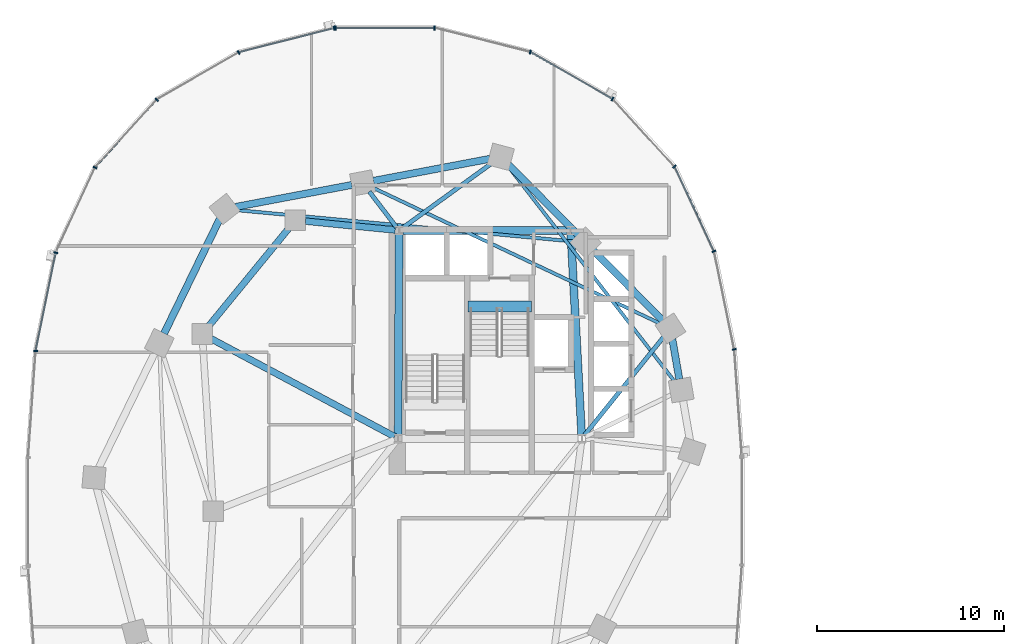
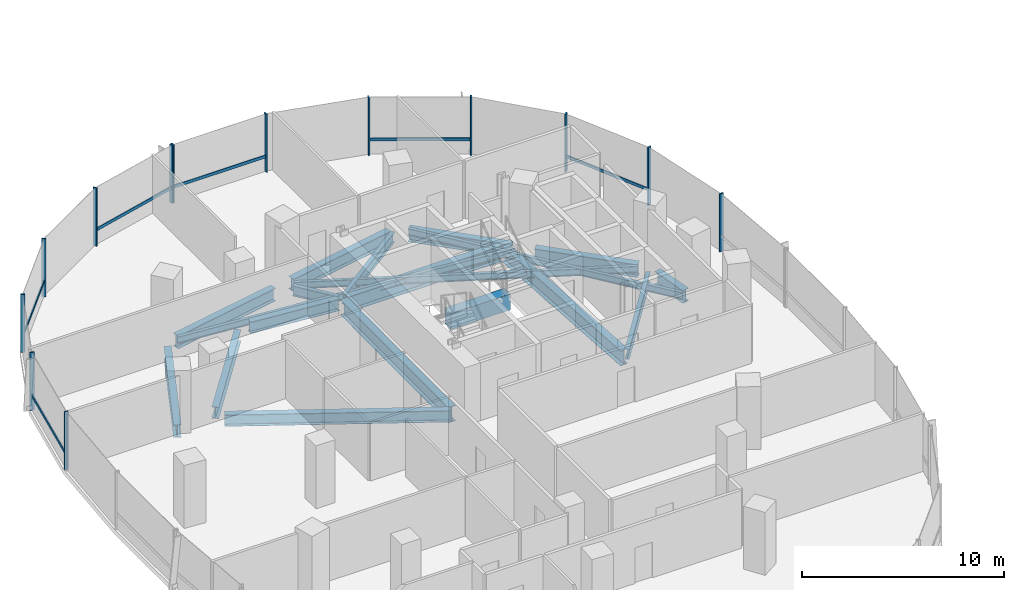
# One storey, part 4 of 22: 19 beams, 19 members, 2 elements without a shape of their own.
"""IFC4 building model written with IfcOpenShell, lengths in metres."""

from ifc_helpers import new_model, si_unit, direction, frame, origin, origin_2d, place, context, subcontext, project, spatial, rectangle, i_section, extrude, material, material_profile, profile_set, type_object, element, aggregate, save


model = new_model("IFC4")

# Units and contexts
model_context = context("Model", 3, precision=1e-05, world=origin(), true_north=direction((0.0, 1.0)))
body_context = subcontext(model_context, "Body", "Model", "MODEL_VIEW")
ifc_project = project(units=[si_unit("LENGTHUNIT", "METRE"), si_unit("AREAUNIT", "SQUARE_METRE"), si_unit("VOLUMEUNIT", "CUBIC_METRE"), si_unit("PLANEANGLEUNIT", "RADIAN"), si_unit("MASSUNIT", "GRAM", prefix="KILO"), si_unit("THERMODYNAMICTEMPERATUREUNIT", "KELVIN"), si_unit("POWERUNIT", "WATT")], contexts=[model_context])

# Site, building, storey
site_placement = place(None, origin())
site = spatial("IfcSite", under=ifc_project, at=site_placement, CompositionType="ELEMENT")
building_placement = place(site_placement, origin())
building = spatial("IfcBuilding", under=site, at=building_placement, Name="Cundina Bronze Exchange", CompositionType="ELEMENT")
storey_placement = place(building_placement, frame((0.0, 0.0, 39.199951171875)))
storey = spatial("IfcBuildingStorey", under=building, at=storey_placement, Name="L09", CompositionType="ELEMENT", Elevation=39.199951171875)

# Beams
ifc_material_1 = material(Name="Concrete C60/75", Category="concrete")
ifc_material_profile_1 = material_profile(ifc_material_1, rectangle(XDim=0.60009765625, YDim=0.949951171875, at=origin_2d()), Name="RC600X950", Category="concrete")
ifc_profile_set_1 = profile_set([ifc_material_profile_1], Name="Concrete C60/75")
beam_type_1 = type_object("IfcBeamType", Name="BM-COUP-RC950", PredefinedType="LINTEL", material=ifc_profile_set_1)
beam_1_placement = place(storey_placement, frame((-27.56005859375, 10.97998046875, -0.474853515625), z_axis=(1.0, 0.0, 0.0), x_axis=(0.0, 1.0, 0.0)))
element("IfcBeam", 1, at=beam_1_placement, inside=storey, type_object=beam_type_1, Name="L09 Stair W2 Landing Header Beam", PredefinedType="LINTEL", context=body_context, shape_type="SweptSolid", body=[
    extrude(rectangle(XDim=0.60009765625, YDim=0.949951171875, at=origin_2d()), origin(), (0.0, 0.0, 1.0), 3.400146484375),
])
ifc_material_2 = material(Name="Steel ASTM A992 Grade 50", Category="steel")
ifc_material_profile_2 = material_profile(ifc_material_2, i_section(OverallWidth=0.22998046875, OverallDepth=0.616943359375, WebThickness=0.01318359375, FlangeThickness=0.022216796875, FilletRadius=0.013916015625, at=origin_2d()), Name="W24X94", Category="steel")
ifc_profile_set_2 = profile_set([ifc_material_profile_2], Name="Steel ASTM A992 Grade 50")
beam_type_2 = type_object("IfcBeamType", Name="BM-FLR-W24B", PredefinedType="BEAM", material=ifc_profile_set_2)
beam_2_placement = place(storey_placement, frame((-21.322021484375, 4.058837890625, -0.6083984375), z_axis=(0.627106366175, 0.778933633568, 0.0), x_axis=(-0.778933633568, 0.627106366175, 0.0)))
element("IfcBeam", 2, at=beam_2_placement, inside=storey, type_object=beam_type_2, Name="L09 Leg W Radial Floor Beam 02", PredefinedType="BEAM", context=body_context, shape_type="SweptSolid", body=[
    extrude(i_section(OverallWidth=0.22998046875, OverallDepth=0.616943359375, WebThickness=0.01318359375, FlangeThickness=0.022216796875, FilletRadius=0.013916015625, at=origin_2d()), origin(), (0.0, 0.0, 1.0), 6.78271484375),
])
beam_3_placement = place(storey_placement, frame((-31.084716796875, 15.169677734375, -0.6083984375), z_axis=(0.809700299677, 0.586843611794, 0.0), x_axis=(-0.586843611794, 0.809700299677, 0.0)))
element("IfcBeam", 3, at=beam_3_placement, inside=storey, type_object=beam_type_2, Name="L09 Leg W Radial Floor Beam 04", PredefinedType="BEAM", context=body_context, shape_type="SweptSolid", body=[
    extrude(i_section(OverallWidth=0.22998046875, OverallDepth=0.616943359375, WebThickness=0.01318359375, FlangeThickness=0.022216796875, FilletRadius=0.013916015625, at=origin_2d()), origin(), (0.0, 0.0, 1.0), 5.938720703125),
])
beam_4_placement = place(storey_placement, frame((-31.373779296875, 15.2119140625, -0.6083984375), z_axis=(-0.607468844289, 0.794343504548, 0.0), x_axis=(-0.794343504548, -0.607468844289, 0.0)))
element("IfcBeam", 4, at=beam_4_placement, inside=storey, type_object=beam_type_2, Name="L09 Leg W Radial Floor Beam 05", PredefinedType="BEAM", context=body_context, shape_type="SweptSolid", body=[
    extrude(i_section(OverallWidth=0.22998046875, OverallDepth=0.616943359375, WebThickness=0.01318359375, FlangeThickness=0.022216796875, FilletRadius=0.013916015625, at=origin_2d()), origin(), (0.0, 0.0, 1.0), 2.418212890625),
])
ifc_material_profile_3 = material_profile(ifc_material_2, i_section(OverallWidth=0.178955078125, OverallDepth=0.409912109375, WebThickness=0.0087890625, FlangeThickness=0.014404296875, FilletRadius=0.010986328125, at=origin_2d()), Name="W16X45", Category="steel")
ifc_profile_set_3 = profile_set([ifc_material_profile_3], Name="Steel ASTM A992 Grade 50")
beam_type_3 = type_object("IfcBeamType", Name="BM-JST-W16", PredefinedType="JOIST", material=ifc_profile_set_3)
beam_5_placement = place(storey_placement, frame((-16.48486328125, 6.965087890625, -0.5048828125), z_axis=(-0.612089386305, 0.790788583108, 0.0), x_axis=(-0.790788583108, -0.612089386305, 0.0)))
element("IfcBeam", 5, at=beam_5_placement, inside=storey, type_object=beam_type_3, Name="L09 Leg W Lobe Floor Joist 01-04", PredefinedType="JOIST", context=body_context, shape_type="SweptSolid", body=[
    extrude(i_section(OverallWidth=0.178955078125, OverallDepth=0.409912109375, WebThickness=0.0087890625, FlangeThickness=0.014404296875, FilletRadius=0.010986328125, at=origin_2d()), origin(), (0.0, 0.0, 1.0), 14.630859375),
])
beam_6_placement = place(storey_placement, frame((-17.231689453125, 10.05126953125, -0.5048828125), z_axis=(-0.904072668297, 0.427378766949, 0.0), x_axis=(-0.427378766949, -0.904072668297, 0.0)))
element("IfcBeam", 6, at=beam_6_placement, inside=storey, type_object=beam_type_3, Name="L09 Leg W Lobe Floor Joist 02-05", PredefinedType="JOIST", context=body_context, shape_type="SweptSolid", body=[
    extrude(i_section(OverallWidth=0.178955078125, OverallDepth=0.409912109375, WebThickness=0.0087890625, FlangeThickness=0.014404296875, FilletRadius=0.010986328125, at=origin_2d()), origin(), (0.0, 0.0, 1.0), 17.07470703125),
])
beam_7_placement = place(storey_placement, frame((-21.83544921875, 14.45458984375, -0.5048828125), z_axis=(-0.995701961644, 0.09261535282, 0.0), x_axis=(-0.09261535282, -0.995701961644, 0.0)))
element("IfcBeam", 7, at=beam_7_placement, inside=storey, type_object=beam_type_3, Name="L09 Leg W Lobe Floor Joist 03-06", PredefinedType="JOIST", context=body_context, shape_type="SweptSolid", body=[
    extrude(i_section(OverallWidth=0.178955078125, OverallDepth=0.409912109375, WebThickness=0.0087890625, FlangeThickness=0.014404296875, FilletRadius=0.010986328125, at=origin_2d()), origin(), (0.0, 0.0, 1.0), 18.25732421875),
])
ifc_material_profile_4 = material_profile(ifc_material_2, i_section(OverallWidth=0.35498046875, OverallDepth=0.695068359375, WebThickness=0.015380859375, FlangeThickness=0.02490234375, FilletRadius=0.01806640625, at=origin_2d()), Name="W27X146", Category="steel")
ifc_profile_set_4 = profile_set([ifc_material_profile_4], Name="Steel ASTM A992 Grade 50")
beam_type_4 = type_object("IfcBeamType", Name="BM-RING-W27", PredefinedType="USERDEFINED", material=ifc_profile_set_4)
beam_8_placement = place(storey_placement, frame((-31.452880859375, 15.070068359375, -0.6474609375), z_axis=(-0.995126271817, 0.098608839051, 0.0), x_axis=(-0.098608839051, -0.995126271817, 0.0)))
element("IfcBeam", 8, at=beam_8_placement, inside=storey, type_object=beam_type_4, Name="L09 W Inner Structural Ring Girder 01", ObjectType="GIRDER", PredefinedType="USERDEFINED", context=body_context, shape_type="SweptSolid", body=[
    extrude(i_section(OverallWidth=0.35498046875, OverallDepth=0.695068359375, WebThickness=0.015380859375, FlangeThickness=0.02490234375, FilletRadius=0.01806640625, at=origin_2d()), origin(), (0.0, 0.0, 1.0), 4.83544921875),
])
beam_9_placement = place(storey_placement, frame((-37.14111328125, 15.183837890625, -0.6474609375), z_axis=(-0.633926549035, -0.773393257295, 0.0), x_axis=(0.773393257295, -0.633926549035, 0.0)))
element("IfcBeam", 9, at=beam_9_placement, inside=storey, type_object=beam_type_4, Name="L09 W Inner Structural Ring Girder 02", ObjectType="GIRDER", PredefinedType="USERDEFINED", context=body_context, shape_type="SweptSolid", body=[
    extrude(i_section(OverallWidth=0.35498046875, OverallDepth=0.695068359375, WebThickness=0.015380859375, FlangeThickness=0.02490234375, FilletRadius=0.01806640625, at=origin_2d()), origin(), (0.0, 0.0, 1.0), 6.811279296875),
])
beam_10_placement = place(storey_placement, frame((-31.47998046875, 3.99609375, -0.6474609375), z_axis=(-0.882354758239, 0.470584828286, 0.0), x_axis=(-0.470584828286, -0.882354758239, 0.0)))
element("IfcBeam", 10, at=beam_10_placement, inside=storey, type_object=beam_type_4, Name="L09 W Core-to-Waist Tie Beam 2", ObjectType="GIRDER", PredefinedType="USERDEFINED", context=body_context, shape_type="SweptSolid", body=[
    extrude(i_section(OverallWidth=0.35498046875, OverallDepth=0.695068359375, WebThickness=0.015380859375, FlangeThickness=0.02490234375, FilletRadius=0.01806640625, at=origin_2d()), origin(), (0.0, 0.0, 1.0), 11.157958984375),
])
ifc_material_profile_5 = material_profile(ifc_material_2, i_section(OverallWidth=0.381103515625, OverallDepth=0.77294921875, WebThickness=0.0166015625, FlangeThickness=0.027099609375, FilletRadius=0.01904296875, at=origin_2d()), Name="W30X173", Category="steel")
ifc_profile_set_5 = profile_set([ifc_material_profile_5], Name="Steel ASTM A992 Grade 50")
beam_type_5 = type_object("IfcBeamType", Name="BM-RING-W30", PredefinedType="USERDEFINED", material=ifc_profile_set_5)
beam_11_placement = place(storey_placement, frame((-16.225830078125, 7.079345703125, -0.6865234375), z_axis=(-0.171734584051, 0.985143254883, 0.0), x_axis=(-0.985143254883, -0.171734584051, 0.0)))
element("IfcBeam", 11, at=beam_11_placement, inside=storey, type_object=beam_type_5, Name="L09 W Perimeter Ring Girder 01", ObjectType="GIRDER", PredefinedType="USERDEFINED", context=body_context, shape_type="SweptSolid", body=[
    extrude(i_section(OverallWidth=0.381103515625, OverallDepth=0.77294921875, WebThickness=0.0166015625, FlangeThickness=0.027099609375, FilletRadius=0.01904296875, at=origin_2d()), origin(), (0.0, 0.0, 1.0), 2.173583984375),
])
for number, where, z_axis, x_axis, name in (
    (12, (-17.113525390625, 10.218017578125, -0.6865234375), (-0.703222428859, 0.710969911845, 0.0), (-0.710969911845, -0.703222428859, 0.0), "L09 W Perimeter Ring Girder 02"),
    (13, (-21.66357421875, 14.818115234375, -0.6865234375), (-0.703222428859, 0.710969911845, 0.0), (-0.710969911845, -0.703222428859, 0.0), "L09 W Perimeter Ring Girder 03"),
):
    element("IfcBeam", number, at=place(storey_placement, frame(where, z_axis=z_axis, x_axis=x_axis)), inside=storey, type_object=beam_type_5, Name=name, ObjectType="GIRDER", PredefinedType="USERDEFINED", context=body_context, shape_type="SweptSolid", body=[
        extrude(i_section(OverallWidth=0.381103515625, OverallDepth=0.77294921875, WebThickness=0.0166015625, FlangeThickness=0.027099609375, FilletRadius=0.01904296875, at=origin_2d()), origin(), (0.0, 0.0, 1.0), 5.2939453125),
    ])
beam_12_placement = place(storey_placement, frame((-26.377685546875, 18.890625, -0.6865234375), z_axis=(-0.982570814598, -0.185888661031, 0.0), x_axis=(0.185888661031, -0.982570814598, 0.0)))
element("IfcBeam", 14, at=beam_12_placement, inside=storey, type_object=beam_type_5, Name="L09 W Perimeter Ring Girder 04", ObjectType="GIRDER", PredefinedType="USERDEFINED", context=body_context, shape_type="SweptSolid", body=[
    extrude(i_section(OverallWidth=0.381103515625, OverallDepth=0.77294921875, WebThickness=0.0166015625, FlangeThickness=0.027099609375, FilletRadius=0.01904296875, at=origin_2d()), origin(), (0.0, 0.0, 1.0), 6.35546875),
])
beam_13_placement = place(storey_placement, frame((-33.77783203125, 17.49072265625, -0.6865234375), z_axis=(-0.982569487119, -0.185895677686, 0.0), x_axis=(0.185895677686, -0.982569487119, 0.0)))
element("IfcBeam", 15, at=beam_13_placement, inside=storey, type_object=beam_type_5, Name="L09 W Perimeter Ring Girder 05", ObjectType="GIRDER", PredefinedType="USERDEFINED", context=body_context, shape_type="SweptSolid", body=[
    extrude(i_section(OverallWidth=0.381103515625, OverallDepth=0.77294921875, WebThickness=0.0166015625, FlangeThickness=0.027099609375, FilletRadius=0.01904296875, at=origin_2d()), origin(), (0.0, 0.0, 1.0), 6.355224609375),
])
beam_14_placement = place(storey_placement, frame((-40.857177734375, 15.671142578125, -0.6865234375), z_axis=(-0.437190698904, -0.899368830231, 0.0), x_axis=(0.899368830231, -0.437190698904, 0.0)))
element("IfcBeam", 16, at=beam_14_placement, inside=storey, type_object=beam_type_5, Name="L09 W Perimeter Ring Girder 06", ObjectType="GIRDER", PredefinedType="USERDEFINED", context=body_context, shape_type="SweptSolid", body=[
    extrude(i_section(OverallWidth=0.381103515625, OverallDepth=0.77294921875, WebThickness=0.0166015625, FlangeThickness=0.027099609375, FilletRadius=0.01904296875, at=origin_2d()), origin(), (0.0, 0.0, 1.0), 6.82958984375),
])
ifc_material_profile_6 = material_profile(ifc_material_2, i_section(OverallWidth=0.41796875, OverallDepth=0.927001953125, WebThickness=0.019287109375, FlangeThickness=0.031982421875, FilletRadius=0.02392578125, at=origin_2d()), Name="W36X231", Category="steel")
ifc_profile_set_6 = profile_set([ifc_material_profile_6], Name="Steel ASTM A992 Grade 50")
beam_type_6 = type_object("IfcBeamType", Name="BM-WRN-W36B", PredefinedType="USERDEFINED", material=ifc_profile_set_6)
beam_15_placement = place(storey_placement, frame((-21.4609375, 4.103759765625, -0.763427734375), z_axis=(-0.053739193498, 0.998555005537, 0.0), x_axis=(-0.998555005537, -0.053739193498, 0.0)))
element("IfcBeam", 17, at=beam_15_placement, inside=storey, type_object=beam_type_6, Name="L09 W Core Perimeter Tie Girder 2", ObjectType="GIRDER", PredefinedType="USERDEFINED", context=body_context, shape_type="SweptSolid", body=[
    extrude(i_section(OverallWidth=0.41796875, OverallDepth=0.927001953125, WebThickness=0.019287109375, FlangeThickness=0.031982421875, FilletRadius=0.02392578125, at=origin_2d()), origin(), (0.0, 0.0, 1.0), 10.758056640625),
])
beam_16_placement = place(storey_placement, frame((-22.25390625, 15.050048828125, -0.763427734375), z_axis=(-1.0, 0.0, 0.0), x_axis=(0.0, -1.0, 0.0)))
element("IfcBeam", 18, at=beam_16_placement, inside=storey, type_object=beam_type_6, Name="L09 W Core Perimeter Tie Girder 3", ObjectType="GIRDER", PredefinedType="USERDEFINED", context=body_context, shape_type="SweptSolid", body=[
    extrude(i_section(OverallWidth=0.41796875, OverallDepth=0.927001953125, WebThickness=0.019287109375, FlangeThickness=0.031982421875, FilletRadius=0.02392578125, at=origin_2d()), origin(), (0.0, 0.0, 1.0), 8.7919921875),
])
beam_17_placement = place(storey_placement, frame((-31.2509765625, 14.845947265625, -0.763427734375), z_axis=(-0.004477329608, -0.99998997671, 0.0), x_axis=(0.99998997671, -0.004477329608, 0.0)))
element("IfcBeam", 19, at=beam_17_placement, inside=storey, type_object=beam_type_6, Name="L09 W Core Perimeter Tie Girder 4", ObjectType="GIRDER", PredefinedType="USERDEFINED", context=body_context, shape_type="SweptSolid", body=[
    extrude(i_section(OverallWidth=0.41796875, OverallDepth=0.927001953125, WebThickness=0.019287109375, FlangeThickness=0.031982421875, FilletRadius=0.02392578125, at=origin_2d()), origin(), (0.0, 0.0, 1.0), 10.741943359375),
])

# Curtain wall, members
ifc_material_3 = material(Name="Anodised Bronze Aluminium 6063-T6", Category="aluminium")
curtain_wall_type = type_object("IfcCurtainWallType", Name="CWS-TRD-LOW", PredefinedType="NOTDEFINED", material=ifc_material_3)
curtain_wall_1_placement = place(storey_placement, origin())
curtain_wall_1 = element("IfcCurtainWall", 20, at=curtain_wall_1_placement, inside=storey, type_object=curtain_wall_type, Name="L09 CW-02 Curtain Wall Run CWR-L09-W1", PredefinedType="NOTDEFINED")
ifc_material_profile_7 = material_profile(ifc_material_3, rectangle(XDim=0.074951171875, YDim=0.219970703125, at=origin_2d()), Name="AL75X220", Category="aluminium")
ifc_profile_set_7 = profile_set([ifc_material_profile_7], Name="Anodised Bronze Aluminium 6063-T6")
member_type_1 = type_object("IfcMemberType", Name="CWM-MUL-220", PredefinedType="MULLION", material=ifc_profile_set_7)
member_1_placement = place(storey_placement, frame((-13.282958984375, 8.67822265625, 0.0), z_axis=(0.0, 0.0, 1.0), x_axis=(-0.201419845156, 0.979505000486, 0.0)))
member_1 = element("IfcMember", 21, at=member_1_placement, type_object=member_type_1, Name="CW-02 Mullion 2", PredefinedType="MULLION", context=body_context, shape_type="SweptSolid", body=[
    extrude(rectangle(XDim=0.074951171875, YDim=0.219970703125, at=origin_2d()), origin(), (0.0, 0.0, 1.0), 3.5),
])
member_2_placement = place(storey_placement, frame((-14.3720703125, 13.931884765625, 0.0), z_axis=(0.0, 0.0, 1.0), x_axis=(-0.42087749791, 0.907117485088, 0.0)))
member_2 = element("IfcMember", 22, at=member_2_placement, type_object=member_type_1, Name="CW-02 Mullion 3", PredefinedType="MULLION", context=body_context, shape_type="SweptSolid", body=[
    extrude(rectangle(XDim=0.074951171875, YDim=0.219970703125, at=origin_2d()), origin(), (0.0, 0.0, 1.0), 3.5),
])
member_3_placement = place(storey_placement, frame((-16.491455078125, 18.47705078125, 0.0), z_axis=(0.0, 0.0, 1.0), x_axis=(-0.674302387584, 0.738455340626, 0.0)))
member_3 = element("IfcMember", 23, at=member_3_placement, type_object=member_type_1, Name="CW-02 Mullion 4", PredefinedType="MULLION", context=body_context, shape_type="SweptSolid", body=[
    extrude(rectangle(XDim=0.074951171875, YDim=0.219970703125, at=origin_2d()), origin(), (0.0, 0.0, 1.0), 3.5),
])
member_4_placement = place(storey_placement, frame((-19.810302734375, 22.097412109375, 0.0), z_axis=(0.0, 0.0, 1.0), x_axis=(-0.867070701164, 0.498185105339, 0.0)))
member_4 = element("IfcMember", 24, at=member_4_placement, type_object=member_type_1, Name="CW-02 Mullion 5", PredefinedType="MULLION", context=body_context, shape_type="SweptSolid", body=[
    extrude(rectangle(XDim=0.074951171875, YDim=0.219970703125, at=origin_2d()), origin(), (0.0, 0.0, 1.0), 3.5),
])
member_5_placement = place(storey_placement, frame((-24.21484375, 24.61669921875, 0.0), z_axis=(0.0, 0.0, 1.0), x_axis=(-0.969488149345, 0.245138182011, 0.0)))
member_5 = element("IfcMember", 25, at=member_5_placement, type_object=member_type_1, Name="CW-02 Mullion 6", PredefinedType="MULLION", context=body_context, shape_type="SweptSolid", body=[
    extrude(rectangle(XDim=0.074951171875, YDim=0.219970703125, at=origin_2d()), origin(), (0.0, 0.0, 1.0), 3.5),
])
member_6_placement = place(storey_placement, frame((-29.345458984375, 25.905029296875, 0.0), z_axis=(0.0, 0.0, 1.0), x_axis=(-1.0, 0.0, 0.0)))
member_6 = element("IfcMember", 26, at=member_6_placement, type_object=member_type_1, Name="CW-02 Mullion 7", PredefinedType="MULLION", context=body_context, shape_type="SweptSolid", body=[
    extrude(rectangle(XDim=0.074951171875, YDim=0.219970703125, at=origin_2d()), origin(), (0.0, 0.0, 1.0), 3.5),
])
member_7_placement = place(storey_placement, frame((-34.654541015625, 25.905029296875, 0.0), z_axis=(0.0, 0.0, 1.0), x_axis=(-1.0, 0.0, 0.0)))
member_7 = element("IfcMember", 27, at=member_7_placement, type_object=member_type_1, Name="CW-02 End Mullion", PredefinedType="MULLION", context=body_context, shape_type="SweptSolid", body=[
    extrude(rectangle(XDim=0.074951171875, YDim=0.219970703125, at=origin_2d()), origin(), (0.0, 0.0, 1.0), 3.5),
])

curtain_wall_2_placement = place(storey_placement, origin())
curtain_wall_2 = element("IfcCurtainWall", 28, at=curtain_wall_2_placement, inside=storey, type_object=curtain_wall_type, Name="L09 CW-02 Curtain Wall Run CWR-L09-W2", PredefinedType="NOTDEFINED")
member_8_placement = place(storey_placement, frame((-34.72607421875, 25.89599609375, 0.0), z_axis=(0.0, 0.0, 1.0), x_axis=(-0.969488149345, -0.245138182011, 0.0)))
member_8 = element("IfcMember", 29, at=member_8_placement, type_object=member_type_1, Name="CW-02 Mullion 1", PredefinedType="MULLION", context=body_context, shape_type="SweptSolid", body=[
    extrude(rectangle(XDim=0.074951171875, YDim=0.219970703125, at=origin_2d()), origin(), (0.0, 0.0, 1.0), 3.5),
])
member_9_placement = place(storey_placement, frame((-39.848876953125, 24.591064453125, 0.0), z_axis=(0.0, 0.0, 1.0), x_axis=(-0.867070701164, -0.498185105339, 0.0)))
member_9 = element("IfcMember", 30, at=member_9_placement, type_object=member_type_1, Name="CW-02 Mullion 2", PredefinedType="MULLION", context=body_context, shape_type="SweptSolid", body=[
    extrude(rectangle(XDim=0.074951171875, YDim=0.219970703125, at=origin_2d()), origin(), (0.0, 0.0, 1.0), 3.5),
])
member_10_placement = place(storey_placement, frame((-44.239501953125, 22.0576171875, 0.0), z_axis=(0.0, 0.0, 1.0), x_axis=(-0.674302387584, -0.738455340626, 0.0)))
member_10 = element("IfcMember", 31, at=member_10_placement, type_object=member_type_1, Name="CW-02 Mullion 3", PredefinedType="MULLION", context=body_context, shape_type="SweptSolid", body=[
    extrude(rectangle(XDim=0.074951171875, YDim=0.219970703125, at=origin_2d()), origin(), (0.0, 0.0, 1.0), 3.5),
])
member_11_placement = place(storey_placement, frame((-47.544189453125, 18.423583984375, 0.0), z_axis=(0.0, 0.0, 1.0), x_axis=(-0.42087749791, -0.907117485088, 0.0)))
member_11 = element("IfcMember", 32, at=member_11_placement, type_object=member_type_1, Name="CW-02 Mullion 4", PredefinedType="MULLION", context=body_context, shape_type="SweptSolid", body=[
    extrude(rectangle(XDim=0.074951171875, YDim=0.219970703125, at=origin_2d()), origin(), (0.0, 0.0, 1.0), 3.5),
])
member_12_placement = place(storey_placement, frame((-49.651123046875, 13.861328125, 0.0), z_axis=(0.0, 0.0, 1.0), x_axis=(-0.201419845156, -0.979505000486, 0.0)))
member_12 = element("IfcMember", 33, at=member_12_placement, type_object=member_type_1, Name="CW-02 Mullion 5", PredefinedType="MULLION", context=body_context, shape_type="SweptSolid", body=[
    extrude(rectangle(XDim=0.074951171875, YDim=0.219970703125, at=origin_2d()), origin(), (0.0, 0.0, 1.0), 3.5),
])
member_13_placement = place(storey_placement, frame((-50.72900390625, 8.591552734375, 0.0), z_axis=(0.0, 0.0, 1.0), x_axis=(-0.070278787473, -0.997527389113, 0.0)))
member_13 = element("IfcMember", 34, at=member_13_placement, type_object=member_type_1, Name="CW-02 Mullion 6", PredefinedType="MULLION", context=body_context, shape_type="SweptSolid", body=[
    extrude(rectangle(XDim=0.074951171875, YDim=0.219970703125, at=origin_2d()), origin(), (0.0, 0.0, 1.0), 3.5),
])

# Member
ifc_material_profile_8 = material_profile(ifc_material_3, rectangle(XDim=0.070068359375, YDim=0.179931640625, at=origin_2d()), Name="AL70X180", Category="aluminium")
ifc_profile_set_8 = profile_set([ifc_material_profile_8], Name="Anodised Bronze Aluminium 6063-T6")
member_type_2 = type_object("IfcMemberType", Name="CWM-TRN-180", PredefinedType="USERDEFINED", material=ifc_profile_set_8)
member_14_placement = place(storey_placement, frame((-14.389404296875, 13.96923828125, 0.920166015625), z_axis=(-0.420811422796, 0.907148139195, 0.0), x_axis=(-0.907148139195, -0.420811422796, 0.0)))
member_14 = element("IfcMember", 35, at=member_14_placement, type_object=member_type_2, Name="CW-02 Spandrel Transom 3", ObjectType="TRANSOM", PredefinedType="USERDEFINED", context=body_context, shape_type="SweptSolid", body=[
    extrude(rectangle(XDim=0.070068359375, YDim=0.179931640625, at=origin_2d()), origin(), (0.0, 0.0, 1.0), 4.95166015625),
])

member_15_placement = place(storey_placement, frame((-19.845947265625, 22.117919921875, 0.920166015625), z_axis=(-0.867097475651, 0.498138502546, 0.0), x_axis=(-0.498138502546, -0.867097475651, 0.0)))
member_15 = element("IfcMember", 36, at=member_15_placement, type_object=member_type_2, Name="CW-02 Spandrel Transom 5", ObjectType="TRANSOM", PredefinedType="USERDEFINED", context=body_context, shape_type="SweptSolid", body=[
    extrude(rectangle(XDim=0.070068359375, YDim=0.179931640625, at=origin_2d()), origin(), (0.0, 0.0, 1.0), 5.00634765625),
])

member_16_placement = place(storey_placement, frame((-29.38671875, 25.905029296875, 0.920166015625), z_axis=(-1.0, 0.0, 0.0), x_axis=(0.0, -1.0, 0.0)))
member_16 = element("IfcMember", 37, at=member_16_placement, type_object=member_type_2, Name="CW-02 Spandrel Transom 7", ObjectType="TRANSOM", PredefinedType="USERDEFINED", context=body_context, shape_type="SweptSolid", body=[
    extrude(rectangle(XDim=0.070068359375, YDim=0.179931640625, at=origin_2d()), origin(), (0.0, 0.0, 1.0), 5.2265625),
])

aggregate(curtain_wall_1, [member_1, member_2, member_14, member_3, member_4, member_15, member_5, member_6, member_7, member_16])

member_17_placement = place(storey_placement, frame((-34.76611328125, 25.885986328125, 0.920166015625), z_axis=(-0.969483968866, -0.245154714644, 0.0), x_axis=(0.245154714644, -0.969483968866, 0.0)))
member_17 = element("IfcMember", 38, at=member_17_placement, type_object=member_type_2, Name="CW-02 Spandrel Transom 1", ObjectType="TRANSOM", PredefinedType="USERDEFINED", context=body_context, shape_type="SweptSolid", body=[
    extrude(rectangle(XDim=0.070068359375, YDim=0.179931640625, at=origin_2d()), origin(), (0.0, 0.0, 1.0), 5.21826171875),
])

member_18_placement = place(storey_placement, frame((-44.26708984375, 22.027099609375, 0.920166015625), z_axis=(-0.674302794847, -0.738454968743, 0.0), x_axis=(0.738454968743, -0.674302794847, 0.0)))
member_18 = element("IfcMember", 39, at=member_18_placement, type_object=member_type_2, Name="CW-02 Spandrel Transom 3", ObjectType="TRANSOM", PredefinedType="USERDEFINED", context=body_context, shape_type="SweptSolid", body=[
    extrude(rectangle(XDim=0.070068359375, YDim=0.179931640625, at=origin_2d()), origin(), (0.0, 0.0, 1.0), 4.848388671875),
])

member_19_placement = place(storey_placement, frame((-49.659423828125, 13.821044921875, 0.920166015625), z_axis=(-0.201427712708, -0.979503382615, 0.0), x_axis=(0.979503382615, -0.201427712708, 0.0)))
member_19 = element("IfcMember", 40, at=member_19_placement, type_object=member_type_2, Name="CW-02 Spandrel Transom 5", ObjectType="TRANSOM", PredefinedType="USERDEFINED", context=body_context, shape_type="SweptSolid", body=[
    extrude(rectangle(XDim=0.070068359375, YDim=0.179931640625, at=origin_2d()), origin(), (0.0, 0.0, 1.0), 5.291748046875),
])

aggregate(curtain_wall_2, [member_8, member_17, member_9, member_10, member_18, member_11, member_12, member_19, member_13])

save(model, "model.ifc")
